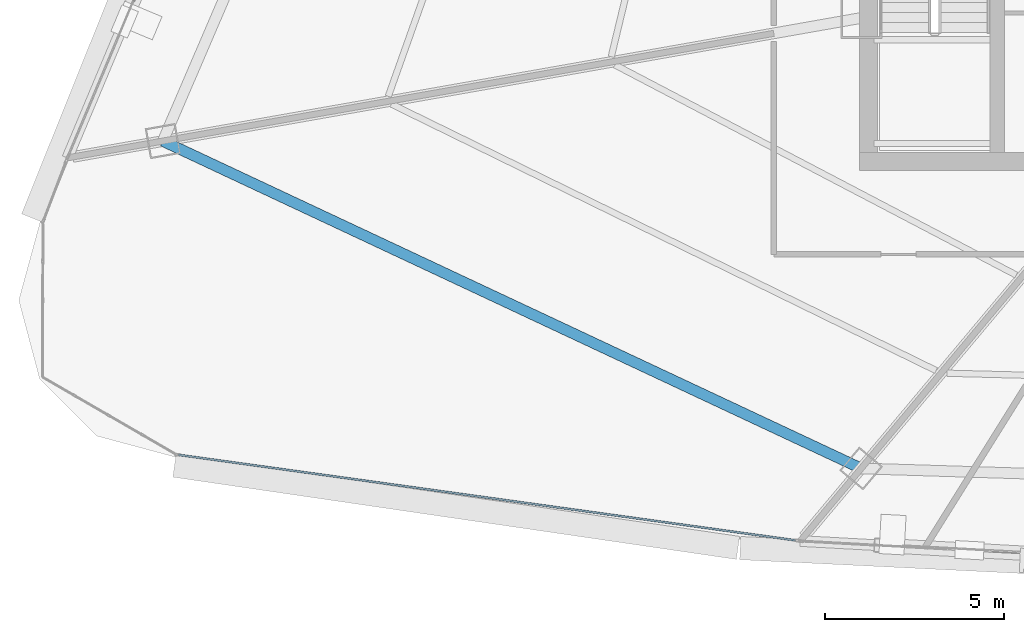
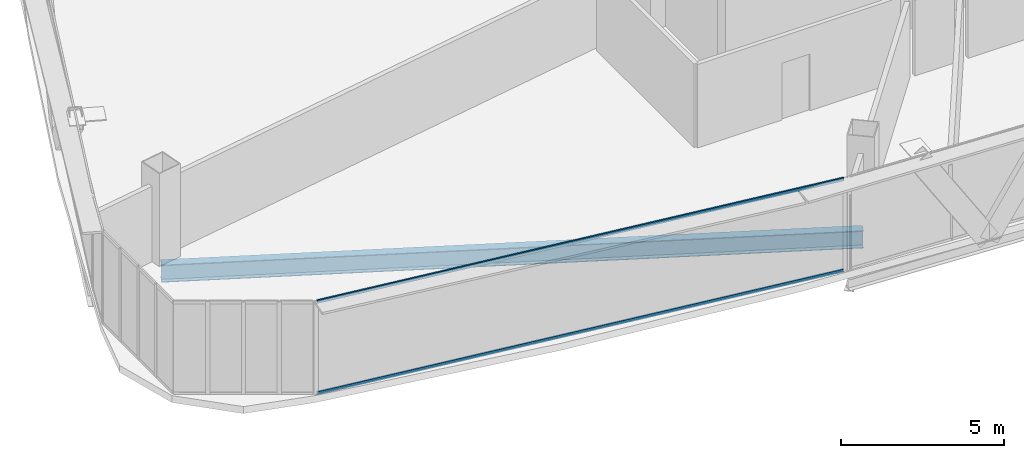
# One storey, part 3 of 36: 2 members, 1 beam, 1 element without a shape of its own.
"""IFC4 building model written with IfcOpenShell, lengths in metres."""

from ifc_helpers import new_model, si_unit, direction, frame, origin, origin_2d, place, context, subcontext, project, spatial, hollow_rectangle, i_section, extrude, source, transform, mapped, material, layer, layer_set, material_profile, profile_set, type_object, element, aggregate, save


model = new_model("IFC4")

# Units and contexts
model_context = context("Model", 3, precision=1e-05, world=origin(), true_north=direction((0.0, 1.0)))
body_context = subcontext(model_context, "Body", "Model", "MODEL_VIEW")
ifc_project = project(units=[si_unit("LENGTHUNIT", "METRE"), si_unit("AREAUNIT", "SQUARE_METRE"), si_unit("VOLUMEUNIT", "CUBIC_METRE"), si_unit("PLANEANGLEUNIT", "RADIAN"), si_unit("MASSUNIT", "GRAM", prefix="KILO"), si_unit("THERMODYNAMICTEMPERATUREUNIT", "KELVIN"), si_unit("POWERUNIT", "WATT")], contexts=[model_context])

# Site, building, storey
site_placement = place(None, origin())
site = spatial("IfcSite", under=ifc_project, at=site_placement, CompositionType="ELEMENT")
building_placement = place(site_placement, origin())
building = spatial("IfcBuilding", under=site, at=building_placement, Name="Yunzhuo Pagoda Commons", CompositionType="ELEMENT")
storey_placement = place(building_placement, frame((0.0, 0.0, 248.260009765625)))
storey = spatial("IfcBuildingStorey", under=building, at=storey_placement, Name="L62", CompositionType="ELEMENT", Elevation=248.260009765625)

# Beam
ifc_material_1 = material(Name="Structural steel Q355B", Category="steel")
ifc_material_profile_1 = material_profile(ifc_material_1, i_section(OverallWidth=0.300048828125, OverallDepth=0.64990234375, WebThickness=0.012939453125, FlangeThickness=0.02197265625, at=origin_2d()), Name="Structural steel Q355B")
ifc_profile_set_1 = profile_set([ifc_material_profile_1], Name="Structural steel Q355B")
beam_type = type_object("IfcBeamType", Name="B-RG2 Beam HN 650x300x13x22", PredefinedType="BEAM", material=ifc_profile_set_1)
shared_shape_1 = source(origin(), body_context, "Body", "SweptSolid", [
    extrude(i_section(OverallWidth=0.300048828125, OverallDepth=0.64990234375, WebThickness=0.012939453125, FlangeThickness=0.02197265625, at=origin_2d()), origin(), (0.0, 0.0, 1.0), 21.56689453125),
])
beam_placement = place(storey_placement, frame((16.06591796875, 28.069091796875, -0.5849609375), z_axis=(0.905424265365, -0.424507832304, 0.0), x_axis=(0.424507832304, 0.905424265365, 0.0)))
element("IfcBeam", 1, at=beam_placement, inside=storey, type_object=beam_type, Name="L62 column-ring beam 12", PredefinedType="BEAM", context=body_context, shape_type="MappedRepresentation", body=[
    mapped(shared_shape_1, transform((0.0, 0.0, 0.0), scale=1.0)),
])

# Curtain wall, members
ifc_material_2 = material(Name="Anodized aluminium 6063-T6", Category="aluminium")
ifc_layer = layer(ifc_material_2, 0.139892578125)
ifc_layer_set = layer_set([ifc_layer], Name="Anodized aluminium 6063-T6")
curtain_wall_type = type_object("IfcCurtainWallType", Name="CW-HI High-Zone Ribbon Curtain Wall", PredefinedType="NOTDEFINED", material=ifc_layer_set)
curtain_wall_placement = place(storey_placement, origin())
curtain_wall = element("IfcCurtainWall", 2, at=curtain_wall_placement, inside=storey, type_object=curtain_wall_type, Name="L62 curtain wall CW-L62-F1B1", PredefinedType="NOTDEFINED")
ifc_material_profile_2 = material_profile(ifc_material_2, hollow_rectangle(XDim=0.054931640625, YDim=0.1201171875, WallThickness=0.00341796875, at=origin_2d()), Name="Anodized aluminium 6063-T6")
ifc_profile_set_2 = profile_set([ifc_material_profile_2], Name="Anodized aluminium 6063-T6")
member_type = type_object("IfcMemberType", Name="CW-HI-T Transom RHS 120x55x3.5", PredefinedType="USERDEFINED", material=ifc_profile_set_2)
shared_shape_2 = source(origin(), body_context, "Body", "SweptSolid", [
    extrude(hollow_rectangle(XDim=0.054931640625, YDim=0.1201171875, WallThickness=0.00341796875, at=origin_2d()), origin(), (0.0, 0.0, 1.0), 17.41650390625),
])
member_1_placement = place(storey_placement, frame((16.50537109375, 19.29443359375, 0.027587890625), z_axis=(0.990534830661, -0.137261608789, 0.0), x_axis=(0.137261608789, 0.990534830661, 0.0)))
member_1 = element("IfcMember", 3, at=member_1_placement, type_object=member_type, Name="CW transom 1.1", ObjectType="TRANSOM", PredefinedType="USERDEFINED", context=body_context, shape_type="MappedRepresentation", body=[
    mapped(shared_shape_2, transform((0.0, 0.0, 0.0), scale=1.0)),
])
member_2_placement = place(storey_placement, frame((16.50537109375, 19.29443359375, 3.4423828125), z_axis=(0.990534830661, -0.137261608789, 0.0), x_axis=(0.137261608789, 0.990534830661, 0.0)))
member_2 = element("IfcMember", 4, at=member_2_placement, type_object=member_type, Name="CW transom 1.2", ObjectType="TRANSOM", PredefinedType="USERDEFINED", context=body_context, shape_type="MappedRepresentation", body=[
    mapped(shared_shape_2, transform((0.0, 0.0, 0.0), scale=1.0)),
])
aggregate(curtain_wall, [member_1, member_2])

save(model, "model.ifc")
